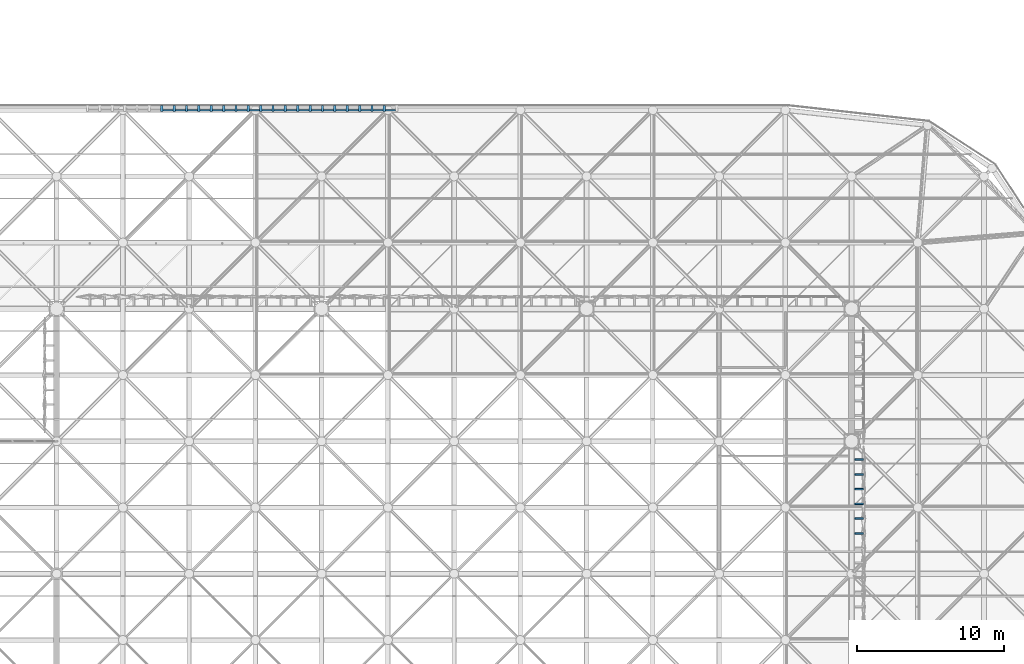
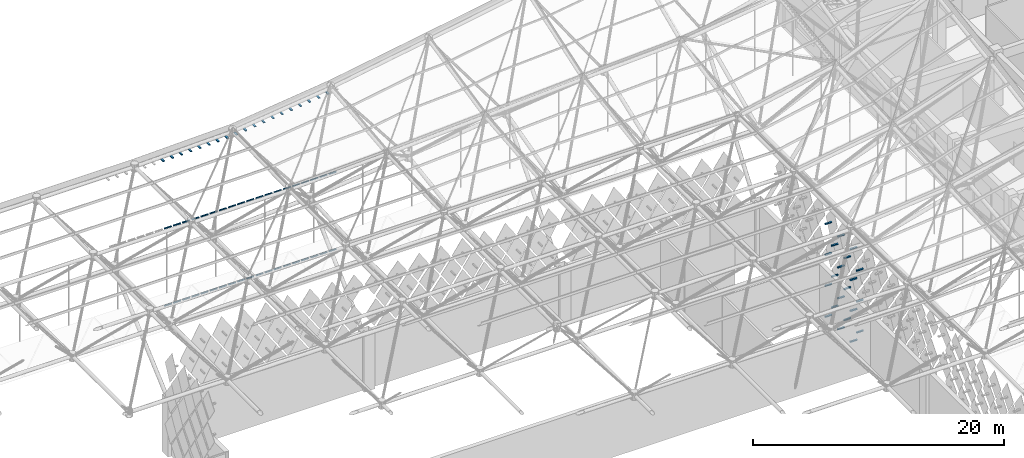
# One storey, part 395 of 437: 78 discrete accessories.
"""IFC4 building model written with IfcOpenShell, lengths in metres."""

from ifc_helpers import new_model, si_unit, direction, frame, origin, origin_2d, place, context, subcontext, project, spatial, polyline, rectangle, hollow_rectangle, outline, extrude, material, material_profile, profile_set, type_object, element, save


model = new_model("IFC4")

# Units and contexts
model_context = context("Model", 3, precision=1e-05, world=origin(), true_north=direction((0.0, 1.0)))
body_context = subcontext(model_context, "Body", "Model", "MODEL_VIEW")
ifc_project = project(units=[si_unit("LENGTHUNIT", "METRE"), si_unit("AREAUNIT", "SQUARE_METRE"), si_unit("VOLUMEUNIT", "CUBIC_METRE"), si_unit("PLANEANGLEUNIT", "RADIAN"), si_unit("MASSUNIT", "GRAM", prefix="KILO")], contexts=[model_context])

# Site, building, storey
site_placement = place(None, origin())
site = spatial("IfcSite", under=ifc_project, at=site_placement, CompositionType="ELEMENT")
building_placement = place(site_placement, origin())
building = spatial("IfcBuilding", under=site, at=building_placement, Name="Opaline Strait Convention Centre", CompositionType="ELEMENT")
storey_placement = place(building_placement, frame((0.0, 0.0, 11.5)))
storey = spatial("IfcBuildingStorey", under=building, at=storey_placement, Name="L02", CompositionType="ELEMENT", Elevation=11.5)

# Discrete accessories
ifc_material = material(Name="Steel Q355B", Category="steel")
discrete_accessory_type_1 = type_object("IfcDiscreteAccessoryType", Name="Blade head bracket 160x400x80", PredefinedType="BRACKET", material=ifc_material)
for number, where, z_axis, x_axis, name in (
    (1, (214.139892578125, 166.60009765625, 17.573974609375), (0.0, 0.0, 1.0), (1.0, 0.0, 0.0), "Blade head bracket E07"),
    (2, (214.97998046875, 166.60009765625, 17.59765625), (0.0, 0.0, 1.0), (1.0, 0.0, 0.0), "Blade head bracket E08"),
    (3, (215.820068359375, 166.60009765625, 17.621337890625), (0.0, 0.0, 1.0), (1.0, 0.0, 0.0), "Blade head bracket E09"),
    (4, (216.659912109375, 166.60009765625, 17.644775390625), (0.0, 0.0, 1.0), (1.0, 0.0, 0.0), "Blade head bracket E10"),
    (5, (217.5, 166.60009765625, 17.66845703125), (0.0, 0.0, 1.0), (1.0, 0.0, 0.0), "Blade head bracket E11"),
    (6, (218.340087890625, 166.60009765625, 17.69189453125), (0.0, 0.0, 1.0), (1.0, 0.0, 0.0), "Blade head bracket E12"),
    (7, (219.179931640625, 166.60009765625, 17.715576171875), (0.0, 0.0, 1.0), (1.0, 0.0, 0.0), "Blade head bracket E13"),
    (8, (220.02001953125, 166.60009765625, 17.7392578125), (0.0, 0.0, 1.0), (1.0, 0.0, 0.0), "Blade head bracket E14"),
    (9, (220.860107421875, 166.60009765625, 17.796142578125), (0.0, 0.0, 1.0), (1.0, 0.0, 0.0), "Blade head bracket E15"),
    (10, (221.699951171875, 166.60009765625, 17.897705078125), (0.0, 0.0, 1.0), (1.0, 0.0, 0.0), "Blade head bracket E16"),
    (11, (222.5400390625, 166.60009765625, 17.9990234375), (0.0, 0.0, 1.0), (1.0, 0.0, 0.0), "Blade head bracket E17"),
    (12, (223.3798828125, 166.60009765625, 18.1005859375), (0.0, 0.0, 1.0), (1.0, 0.0, 0.0), "Blade head bracket E18"),
    (13, (224.219970703125, 166.60009765625, 18.201904296875), (0.0, 0.0, 1.0), (1.0, 0.0, 0.0), "Blade head bracket E19"),
    (14, (225.06005859375, 166.60009765625, 18.303466796875), (0.0, 0.0, 1.0), (1.0, 0.0, 0.0), "Blade head bracket E20"),
    (15, (225.89990234375, 166.60009765625, 18.405029296875), (0.0, 0.0, 1.0), (1.0, 0.0, 0.0), "Blade head bracket E21"),
    (16, (226.739990234375, 166.60009765625, 18.50634765625), (0.0, 0.0, 1.0), (1.0, 0.0, 0.0), "Blade head bracket E22"),
    (17, (227.580078125, 166.60009765625, 18.60791015625), (0.0, 0.0, 1.0), (1.0, 0.0, 0.0), "Blade head bracket E23"),
    (18, (228.419921875, 166.60009765625, 18.709228515625), (0.0, 0.0, 1.0), (1.0, 0.0, 0.0), "Blade head bracket E24"),
    (19, (229.260009765625, 166.60009765625, 18.810791015625), (0.0, 0.0, 1.0), (1.0, 0.0, 0.0), "Blade head bracket E25"),
):
    element("IfcDiscreteAccessory", number, at=place(storey_placement, frame(where, z_axis=z_axis, x_axis=x_axis)), inside=storey, type_object=discrete_accessory_type_1, Name=name, PredefinedType="BRACKET", context=body_context, shape_type="SweptSolid", body=[
        extrude(rectangle(XDim=0.159912109375, YDim=0.39990234375, at=origin_2d()), origin(), (0.0, 0.0, 1.0), 0.080078125),
    ])
ifc_material_profile = material_profile(ifc_material, hollow_rectangle(XDim=0.10009765625, YDim=0.10009765625, WallThickness=0.006103515625, at=origin_2d()), Name="RHS 100x100x6")
ifc_profile_set = profile_set([ifc_material_profile], Name="Steel Q355B")
discrete_accessory_type_2 = type_object("IfcDiscreteAccessoryType", Name="Blade rail RHS 100x100x6", PredefinedType="BRACKET", material=ifc_profile_set)
for number, where, z_axis, x_axis, name in (
    (20, (214.219970703125, 166.5, 3.5), (1.0, 0.0, 0.0), (0.0, 1.0, 0.0), "Blade rail 2 E"),
    (21, (215.06005859375, 166.5, 3.5), (1.0, 0.0, 0.0), (0.0, 1.0, 0.0), "Blade rail 2 E"),
):
    element("IfcDiscreteAccessory", number, at=place(storey_placement, frame(where, z_axis=z_axis, x_axis=x_axis)), inside=storey, type_object=discrete_accessory_type_2, Name=name, PredefinedType="BRACKET", context=body_context, shape_type="SweptSolid", body=[
        extrude(hollow_rectangle(XDim=0.10009765625, YDim=0.10009765625, WallThickness=0.006103515625, at=origin_2d()), origin(), (0.0, 0.0, 1.0), 0.679931640625),
    ])
discrete_accessory_1_placement = place(storey_placement, frame((215.89990234375, 166.5, 3.5), z_axis=(1.0, 0.0, 0.0), x_axis=(0.0, 1.0, 0.0)))
element("IfcDiscreteAccessory", 22, at=discrete_accessory_1_placement, inside=storey, type_object=discrete_accessory_type_2, Name="Blade rail 2 E", PredefinedType="BRACKET", context=body_context, shape_type="SweptSolid", body=[
    extrude(hollow_rectangle(XDim=0.10009765625, YDim=0.10009765625, WallThickness=0.006103515625, at=origin_2d()), origin(), (0.0, 0.0, 1.0), 0.68017578125),
])
for number, where, z_axis, x_axis, name in (
    (23, (216.739990234375, 166.5, 3.5), (1.0, 0.0, 0.0), (0.0, 1.0, 0.0), "Blade rail 2 E"),
    (24, (217.580078125, 166.5, 3.5), (1.0, 0.0, 0.0), (0.0, 1.0, 0.0), "Blade rail 2 E"),
):
    element("IfcDiscreteAccessory", number, at=place(storey_placement, frame(where, z_axis=z_axis, x_axis=x_axis)), inside=storey, type_object=discrete_accessory_type_2, Name=name, PredefinedType="BRACKET", context=body_context, shape_type="SweptSolid", body=[
        extrude(hollow_rectangle(XDim=0.10009765625, YDim=0.10009765625, WallThickness=0.006103515625, at=origin_2d()), origin(), (0.0, 0.0, 1.0), 0.679931640625),
    ])
discrete_accessory_2_placement = place(storey_placement, frame((218.419921875, 166.5, 3.5), z_axis=(1.0, 0.0, 0.0), x_axis=(0.0, 1.0, 0.0)))
element("IfcDiscreteAccessory", 25, at=discrete_accessory_2_placement, inside=storey, type_object=discrete_accessory_type_2, Name="Blade rail 2 E", PredefinedType="BRACKET", context=body_context, shape_type="SweptSolid", body=[
    extrude(hollow_rectangle(XDim=0.10009765625, YDim=0.10009765625, WallThickness=0.006103515625, at=origin_2d()), origin(), (0.0, 0.0, 1.0), 0.68017578125),
])
for number, where, z_axis, x_axis, name in (
    (26, (219.260009765625, 166.5, 3.5), (1.0, 0.0, 0.0), (0.0, 1.0, 0.0), "Blade rail 2 E"),
    (27, (220.10009765625, 166.5, 3.5), (1.0, 0.0, 0.0), (0.0, 1.0, 0.0), "Blade rail 2 E"),
):
    element("IfcDiscreteAccessory", number, at=place(storey_placement, frame(where, z_axis=z_axis, x_axis=x_axis)), inside=storey, type_object=discrete_accessory_type_2, Name=name, PredefinedType="BRACKET", context=body_context, shape_type="SweptSolid", body=[
        extrude(hollow_rectangle(XDim=0.10009765625, YDim=0.10009765625, WallThickness=0.006103515625, at=origin_2d()), origin(), (0.0, 0.0, 1.0), 0.679931640625),
    ])
discrete_accessory_3_placement = place(storey_placement, frame((220.93994140625, 166.5, 3.5), z_axis=(1.0, 0.0, 0.0), x_axis=(0.0, 1.0, 0.0)))
element("IfcDiscreteAccessory", 28, at=discrete_accessory_3_placement, inside=storey, type_object=discrete_accessory_type_2, Name="Blade rail 2 E", PredefinedType="BRACKET", context=body_context, shape_type="SweptSolid", body=[
    extrude(hollow_rectangle(XDim=0.10009765625, YDim=0.10009765625, WallThickness=0.006103515625, at=origin_2d()), origin(), (0.0, 0.0, 1.0), 0.68017578125),
])
for number, where, z_axis, x_axis, name in (
    (29, (221.780029296875, 166.5, 3.5), (1.0, 0.0, 0.0), (0.0, 1.0, 0.0), "Blade rail 2 E"),
    (30, (222.6201171875, 166.5, 3.5), (1.0, 0.0, 0.0), (0.0, 1.0, 0.0), "Blade rail 2 E"),
    (31, (223.4599609375, 166.5, 3.5), (1.0, 0.0, 0.0), (0.0, 1.0, 0.0), "Blade rail 2 E"),
    (32, (224.300048828125, 166.5, 3.5), (1.0, 0.0, 0.0), (0.0, 1.0, 0.0), "Blade rail 2 E"),
):
    element("IfcDiscreteAccessory", number, at=place(storey_placement, frame(where, z_axis=z_axis, x_axis=x_axis)), inside=storey, type_object=discrete_accessory_type_2, Name=name, PredefinedType="BRACKET", context=body_context, shape_type="SweptSolid", body=[
        extrude(hollow_rectangle(XDim=0.10009765625, YDim=0.10009765625, WallThickness=0.006103515625, at=origin_2d()), origin(), (0.0, 0.0, 1.0), 0.679931640625),
    ])
discrete_accessory_4_placement = place(storey_placement, frame((225.139892578125, 166.5, 3.5), z_axis=(1.0, 0.0, 0.0), x_axis=(0.0, 1.0, 0.0)))
element("IfcDiscreteAccessory", 33, at=discrete_accessory_4_placement, inside=storey, type_object=discrete_accessory_type_2, Name="Blade rail 2 E", PredefinedType="BRACKET", context=body_context, shape_type="SweptSolid", body=[
    extrude(hollow_rectangle(XDim=0.10009765625, YDim=0.10009765625, WallThickness=0.006103515625, at=origin_2d()), origin(), (0.0, 0.0, 1.0), 0.68017578125),
])
for number, where, z_axis, x_axis, name in (
    (34, (225.97998046875, 166.5, 3.5), (1.0, 0.0, 0.0), (0.0, 1.0, 0.0), "Blade rail 2 E"),
    (35, (226.820068359375, 166.5, 3.5), (1.0, 0.0, 0.0), (0.0, 1.0, 0.0), "Blade rail 2 E"),
):
    element("IfcDiscreteAccessory", number, at=place(storey_placement, frame(where, z_axis=z_axis, x_axis=x_axis)), inside=storey, type_object=discrete_accessory_type_2, Name=name, PredefinedType="BRACKET", context=body_context, shape_type="SweptSolid", body=[
        extrude(hollow_rectangle(XDim=0.10009765625, YDim=0.10009765625, WallThickness=0.006103515625, at=origin_2d()), origin(), (0.0, 0.0, 1.0), 0.679931640625),
    ])
discrete_accessory_5_placement = place(storey_placement, frame((227.659912109375, 166.5, 3.5), z_axis=(1.0, 0.0, 0.0), x_axis=(0.0, 1.0, 0.0)))
element("IfcDiscreteAccessory", 36, at=discrete_accessory_5_placement, inside=storey, type_object=discrete_accessory_type_2, Name="Blade rail 2 E", PredefinedType="BRACKET", context=body_context, shape_type="SweptSolid", body=[
    extrude(hollow_rectangle(XDim=0.10009765625, YDim=0.10009765625, WallThickness=0.006103515625, at=origin_2d()), origin(), (0.0, 0.0, 1.0), 0.68017578125),
])
for number, where, z_axis, x_axis, name in (
    (37, (228.5, 166.5, 3.5), (1.0, 0.0, 0.0), (0.0, 1.0, 0.0), "Blade rail 2 E"),
    (38, (229.340087890625, 166.5, 3.5), (1.0, 0.0, 0.0), (0.0, 1.0, 0.0), "Blade rail 2 E"),
    (39, (214.219970703125, 166.5, 11.0), (1.0, 0.0, 0.0), (0.0, 1.0, 0.0), "Blade rail 3 E"),
    (40, (215.06005859375, 166.5, 11.0), (1.0, 0.0, 0.0), (0.0, 1.0, 0.0), "Blade rail 3 E"),
):
    element("IfcDiscreteAccessory", number, at=place(storey_placement, frame(where, z_axis=z_axis, x_axis=x_axis)), inside=storey, type_object=discrete_accessory_type_2, Name=name, PredefinedType="BRACKET", context=body_context, shape_type="SweptSolid", body=[
        extrude(hollow_rectangle(XDim=0.10009765625, YDim=0.10009765625, WallThickness=0.006103515625, at=origin_2d()), origin(), (0.0, 0.0, 1.0), 0.679931640625),
    ])
discrete_accessory_6_placement = place(storey_placement, frame((215.89990234375, 166.5, 11.0), z_axis=(1.0, 0.0, 0.0), x_axis=(0.0, 1.0, 0.0)))
element("IfcDiscreteAccessory", 41, at=discrete_accessory_6_placement, inside=storey, type_object=discrete_accessory_type_2, Name="Blade rail 3 E", PredefinedType="BRACKET", context=body_context, shape_type="SweptSolid", body=[
    extrude(hollow_rectangle(XDim=0.10009765625, YDim=0.10009765625, WallThickness=0.006103515625, at=origin_2d()), origin(), (0.0, 0.0, 1.0), 0.68017578125),
])
for number, where, z_axis, x_axis, name in (
    (42, (216.739990234375, 166.5, 11.0), (1.0, 0.0, 0.0), (0.0, 1.0, 0.0), "Blade rail 3 E"),
    (43, (217.580078125, 166.5, 11.0), (1.0, 0.0, 0.0), (0.0, 1.0, 0.0), "Blade rail 3 E"),
):
    element("IfcDiscreteAccessory", number, at=place(storey_placement, frame(where, z_axis=z_axis, x_axis=x_axis)), inside=storey, type_object=discrete_accessory_type_2, Name=name, PredefinedType="BRACKET", context=body_context, shape_type="SweptSolid", body=[
        extrude(hollow_rectangle(XDim=0.10009765625, YDim=0.10009765625, WallThickness=0.006103515625, at=origin_2d()), origin(), (0.0, 0.0, 1.0), 0.679931640625),
    ])
discrete_accessory_7_placement = place(storey_placement, frame((218.419921875, 166.5, 11.0), z_axis=(1.0, 0.0, 0.0), x_axis=(0.0, 1.0, 0.0)))
element("IfcDiscreteAccessory", 44, at=discrete_accessory_7_placement, inside=storey, type_object=discrete_accessory_type_2, Name="Blade rail 3 E", PredefinedType="BRACKET", context=body_context, shape_type="SweptSolid", body=[
    extrude(hollow_rectangle(XDim=0.10009765625, YDim=0.10009765625, WallThickness=0.006103515625, at=origin_2d()), origin(), (0.0, 0.0, 1.0), 0.68017578125),
])
for number, where, z_axis, x_axis, name in (
    (45, (219.260009765625, 166.5, 11.0), (1.0, 0.0, 0.0), (0.0, 1.0, 0.0), "Blade rail 3 E"),
    (46, (220.10009765625, 166.5, 11.0), (1.0, 0.0, 0.0), (0.0, 1.0, 0.0), "Blade rail 3 E"),
):
    element("IfcDiscreteAccessory", number, at=place(storey_placement, frame(where, z_axis=z_axis, x_axis=x_axis)), inside=storey, type_object=discrete_accessory_type_2, Name=name, PredefinedType="BRACKET", context=body_context, shape_type="SweptSolid", body=[
        extrude(hollow_rectangle(XDim=0.10009765625, YDim=0.10009765625, WallThickness=0.006103515625, at=origin_2d()), origin(), (0.0, 0.0, 1.0), 0.679931640625),
    ])
discrete_accessory_8_placement = place(storey_placement, frame((220.93994140625, 166.5, 11.0), z_axis=(1.0, 0.0, 0.0), x_axis=(0.0, 1.0, 0.0)))
element("IfcDiscreteAccessory", 47, at=discrete_accessory_8_placement, inside=storey, type_object=discrete_accessory_type_2, Name="Blade rail 3 E", PredefinedType="BRACKET", context=body_context, shape_type="SweptSolid", body=[
    extrude(hollow_rectangle(XDim=0.10009765625, YDim=0.10009765625, WallThickness=0.006103515625, at=origin_2d()), origin(), (0.0, 0.0, 1.0), 0.68017578125),
])
for number, where, z_axis, x_axis, name in (
    (48, (221.780029296875, 166.5, 11.0), (1.0, 0.0, 0.0), (0.0, 1.0, 0.0), "Blade rail 3 E"),
    (49, (222.6201171875, 166.5, 11.0), (1.0, 0.0, 0.0), (0.0, 1.0, 0.0), "Blade rail 3 E"),
    (50, (223.4599609375, 166.5, 11.0), (1.0, 0.0, 0.0), (0.0, 1.0, 0.0), "Blade rail 3 E"),
    (51, (224.300048828125, 166.5, 11.0), (1.0, 0.0, 0.0), (0.0, 1.0, 0.0), "Blade rail 3 E"),
):
    element("IfcDiscreteAccessory", number, at=place(storey_placement, frame(where, z_axis=z_axis, x_axis=x_axis)), inside=storey, type_object=discrete_accessory_type_2, Name=name, PredefinedType="BRACKET", context=body_context, shape_type="SweptSolid", body=[
        extrude(hollow_rectangle(XDim=0.10009765625, YDim=0.10009765625, WallThickness=0.006103515625, at=origin_2d()), origin(), (0.0, 0.0, 1.0), 0.679931640625),
    ])
discrete_accessory_9_placement = place(storey_placement, frame((225.139892578125, 166.5, 11.0), z_axis=(1.0, 0.0, 0.0), x_axis=(0.0, 1.0, 0.0)))
element("IfcDiscreteAccessory", 52, at=discrete_accessory_9_placement, inside=storey, type_object=discrete_accessory_type_2, Name="Blade rail 3 E", PredefinedType="BRACKET", context=body_context, shape_type="SweptSolid", body=[
    extrude(hollow_rectangle(XDim=0.10009765625, YDim=0.10009765625, WallThickness=0.006103515625, at=origin_2d()), origin(), (0.0, 0.0, 1.0), 0.68017578125),
])
for number, where, z_axis, x_axis, name in (
    (53, (225.97998046875, 166.5, 11.0), (1.0, 0.0, 0.0), (0.0, 1.0, 0.0), "Blade rail 3 E"),
    (54, (226.820068359375, 166.5, 11.0), (1.0, 0.0, 0.0), (0.0, 1.0, 0.0), "Blade rail 3 E"),
):
    element("IfcDiscreteAccessory", number, at=place(storey_placement, frame(where, z_axis=z_axis, x_axis=x_axis)), inside=storey, type_object=discrete_accessory_type_2, Name=name, PredefinedType="BRACKET", context=body_context, shape_type="SweptSolid", body=[
        extrude(hollow_rectangle(XDim=0.10009765625, YDim=0.10009765625, WallThickness=0.006103515625, at=origin_2d()), origin(), (0.0, 0.0, 1.0), 0.679931640625),
    ])
discrete_accessory_10_placement = place(storey_placement, frame((227.659912109375, 166.5, 11.0), z_axis=(1.0, 0.0, 0.0), x_axis=(0.0, 1.0, 0.0)))
element("IfcDiscreteAccessory", 55, at=discrete_accessory_10_placement, inside=storey, type_object=discrete_accessory_type_2, Name="Blade rail 3 E", PredefinedType="BRACKET", context=body_context, shape_type="SweptSolid", body=[
    extrude(hollow_rectangle(XDim=0.10009765625, YDim=0.10009765625, WallThickness=0.006103515625, at=origin_2d()), origin(), (0.0, 0.0, 1.0), 0.68017578125),
])
for number, where, z_axis, x_axis, name in (
    (56, (228.5, 166.5, 11.0), (1.0, 0.0, 0.0), (0.0, 1.0, 0.0), "Blade rail 3 E"),
    (57, (229.340087890625, 166.5, 11.0), (1.0, 0.0, 0.0), (0.0, 1.0, 0.0), "Blade rail 3 E"),
):
    element("IfcDiscreteAccessory", number, at=place(storey_placement, frame(where, z_axis=z_axis, x_axis=x_axis)), inside=storey, type_object=discrete_accessory_type_2, Name=name, PredefinedType="BRACKET", context=body_context, shape_type="SweptSolid", body=[
        extrude(hollow_rectangle(XDim=0.10009765625, YDim=0.10009765625, WallThickness=0.006103515625, at=origin_2d()), origin(), (0.0, 0.0, 1.0), 0.679931640625),
    ])
discrete_accessory_type_3 = type_object("IfcDiscreteAccessoryType", Name="Tile bracket 100x100 steel", PredefinedType="BRACKET", material=ifc_material)
discrete_accessory_11_placement = place(storey_placement, frame((261.199951171875, 138.699951171875, 0.39208984375), z_axis=(0.0, 1.0, 0.0), x_axis=(-1.0, 0.0, 0.0)))
element("IfcDiscreteAccessory", 58, at=discrete_accessory_11_placement, inside=storey, type_object=discrete_accessory_type_3, Name="Tile bracket XT09 E", PredefinedType="BRACKET", context=body_context, shape_type="SweptSolid", body=[
    extrude(outline(polyline([(0.0, -0.050048828125), (0.0, 0.050048828125), (-0.60400390625, 0.050048828125), (-0.595947265625, -0.050048828125), (0.0, -0.050048828125)])), origin(), (0.0, 0.0, 1.0), 0.10009765625),
])
discrete_accessory_12_placement = place(storey_placement, frame((261.199951171875, 140.699951171875, 0.39208984375), z_axis=(0.0, 1.0, 0.0), x_axis=(-1.0, 0.0, 0.0)))
element("IfcDiscreteAccessory", 59, at=discrete_accessory_12_placement, inside=storey, type_object=discrete_accessory_type_3, Name="Tile bracket XT05 E", PredefinedType="BRACKET", context=body_context, shape_type="SweptSolid", body=[
    extrude(outline(polyline([(0.0, -0.050048828125), (0.0, 0.050048828125), (-0.602294921875, 0.050048828125), (-0.597900390625, -0.050048828125), (0.0, -0.050048828125)])), origin(), (0.0, 0.0, 1.0), 0.10009765625),
])
discrete_accessory_13_placement = place(storey_placement, frame((261.199951171875, 142.699951171875, 0.39208984375), z_axis=(0.0, 1.0, 0.0), x_axis=(-1.0, 0.0, 0.0)))
element("IfcDiscreteAccessory", 60, at=discrete_accessory_13_placement, inside=storey, type_object=discrete_accessory_type_3, Name="Tile bracket XT04 E", PredefinedType="BRACKET", context=body_context, shape_type="SweptSolid", body=[
    extrude(outline(polyline([(0.0, -0.050048828125), (0.0, 0.050048828125), (-0.601806640625, 0.050048828125), (-0.59814453125, -0.050048828125), (0.0, -0.050048828125)])), origin(), (0.0, 0.0, 1.0), 0.10009765625),
])
discrete_accessory_14_placement = place(storey_placement, frame((261.199951171875, 137.699951171875, 1.89208984375), z_axis=(0.0, 1.0, 0.0), x_axis=(-1.0, 0.0, 0.0)))
element("IfcDiscreteAccessory", 61, at=discrete_accessory_14_placement, inside=storey, type_object=discrete_accessory_type_3, Name="Tile bracket XT11 E", PredefinedType="BRACKET", context=body_context, shape_type="SweptSolid", body=[
    extrude(outline(polyline([(0.0, -0.050048828125), (0.0, 0.050048828125), (-0.604736328125, 0.050048828125), (-0.59521484375, -0.050048828125), (0.0, -0.050048828125)])), origin(), (0.0, 0.0, 1.0), 0.10009765625),
])
discrete_accessory_15_placement = place(storey_placement, frame((261.199951171875, 139.699951171875, 1.89208984375), z_axis=(0.0, 1.0, 0.0), x_axis=(-1.0, 0.0, 0.0)))
element("IfcDiscreteAccessory", 62, at=discrete_accessory_15_placement, inside=storey, type_object=discrete_accessory_type_3, Name="Tile bracket XT08 E", PredefinedType="BRACKET", context=body_context, shape_type="SweptSolid", body=[
    extrude(outline(polyline([(0.0, -0.050048828125), (0.0, 0.050048828125), (-0.603515625, 0.050048828125), (-0.596435546875, -0.050048828125), (0.0, -0.050048828125)])), origin(), (0.0, 0.0, 1.0), 0.10009765625),
])
discrete_accessory_16_placement = place(storey_placement, frame((261.199951171875, 141.699951171875, 1.89208984375), z_axis=(0.0, 1.0, 0.0), x_axis=(-1.0, 0.0, 0.0)))
element("IfcDiscreteAccessory", 63, at=discrete_accessory_16_placement, inside=storey, type_object=discrete_accessory_type_3, Name="Tile bracket XT05 E", PredefinedType="BRACKET", context=body_context, shape_type="SweptSolid", body=[
    extrude(outline(polyline([(0.0, -0.050048828125), (0.0, 0.050048828125), (-0.602294921875, 0.050048828125), (-0.597900390625, -0.050048828125), (0.0, -0.050048828125)])), origin(), (0.0, 0.0, 1.0), 0.10009765625),
])
discrete_accessory_17_placement = place(storey_placement, frame((261.199951171875, 138.699951171875, 3.39208984375), z_axis=(0.0, 1.0, 0.0), x_axis=(-1.0, 0.0, 0.0)))
element("IfcDiscreteAccessory", 64, at=discrete_accessory_17_placement, inside=storey, type_object=discrete_accessory_type_3, Name="Tile bracket XT11 E", PredefinedType="BRACKET", context=body_context, shape_type="SweptSolid", body=[
    extrude(outline(polyline([(0.0, -0.050048828125), (0.0, 0.050048828125), (-0.604736328125, 0.050048828125), (-0.59521484375, -0.050048828125), (0.0, -0.050048828125)])), origin(), (0.0, 0.0, 1.0), 0.10009765625),
])
discrete_accessory_18_placement = place(storey_placement, frame((261.199951171875, 140.699951171875, 3.39208984375), z_axis=(0.0, 1.0, 0.0), x_axis=(-1.0, 0.0, 0.0)))
element("IfcDiscreteAccessory", 65, at=discrete_accessory_18_placement, inside=storey, type_object=discrete_accessory_type_3, Name="Tile bracket XT08 E", PredefinedType="BRACKET", context=body_context, shape_type="SweptSolid", body=[
    extrude(outline(polyline([(0.0, -0.050048828125), (0.0, 0.050048828125), (-0.603515625, 0.050048828125), (-0.596435546875, -0.050048828125), (0.0, -0.050048828125)])), origin(), (0.0, 0.0, 1.0), 0.10009765625),
])
discrete_accessory_19_placement = place(storey_placement, frame((261.199951171875, 142.699951171875, 3.39208984375), z_axis=(0.0, 1.0, 0.0), x_axis=(-1.0, 0.0, 0.0)))
element("IfcDiscreteAccessory", 66, at=discrete_accessory_19_placement, inside=storey, type_object=discrete_accessory_type_3, Name="Tile bracket XT06 E", PredefinedType="BRACKET", context=body_context, shape_type="SweptSolid", body=[
    extrude(outline(polyline([(0.0, -0.050048828125), (0.0, 0.050048828125), (-0.6025390625, 0.050048828125), (-0.597412109375, -0.050048828125), (0.0, -0.050048828125)])), origin(), (0.0, 0.0, 1.0), 0.10009765625),
])
discrete_accessory_20_placement = place(storey_placement, frame((261.199951171875, 137.699951171875, 4.89208984375), z_axis=(0.0, 1.0, 0.0), x_axis=(-1.0, 0.0, 0.0)))
element("IfcDiscreteAccessory", 67, at=discrete_accessory_20_placement, inside=storey, type_object=discrete_accessory_type_3, Name="Tile bracket XT11 E", PredefinedType="BRACKET", context=body_context, shape_type="SweptSolid", body=[
    extrude(outline(polyline([(0.0, -0.050048828125), (0.0, 0.050048828125), (-0.604736328125, 0.050048828125), (-0.59521484375, -0.050048828125), (0.0, -0.050048828125)])), origin(), (0.0, 0.0, 1.0), 0.10009765625),
])
discrete_accessory_21_placement = place(storey_placement, frame((261.199951171875, 139.699951171875, 4.89208984375), z_axis=(0.0, 1.0, 0.0), x_axis=(-1.0, 0.0, 0.0)))
element("IfcDiscreteAccessory", 68, at=discrete_accessory_21_placement, inside=storey, type_object=discrete_accessory_type_3, Name="Tile bracket XT10 E", PredefinedType="BRACKET", context=body_context, shape_type="SweptSolid", body=[
    extrude(outline(polyline([(0.0, -0.050048828125), (0.0, 0.050048828125), (-0.604248046875, 0.050048828125), (-0.595703125, -0.050048828125), (0.0, -0.050048828125)])), origin(), (0.0, 0.0, 1.0), 0.10009765625),
])
discrete_accessory_22_placement = place(storey_placement, frame((261.199951171875, 141.699951171875, 4.89208984375), z_axis=(0.0, 1.0, 0.0), x_axis=(-1.0, 0.0, 0.0)))
element("IfcDiscreteAccessory", 69, at=discrete_accessory_22_placement, inside=storey, type_object=discrete_accessory_type_3, Name="Tile bracket XT08 E", PredefinedType="BRACKET", context=body_context, shape_type="SweptSolid", body=[
    extrude(outline(polyline([(0.0, -0.050048828125), (0.0, 0.050048828125), (-0.603515625, 0.050048828125), (-0.596435546875, -0.050048828125), (0.0, -0.050048828125)])), origin(), (0.0, 0.0, 1.0), 0.10009765625),
])
discrete_accessory_23_placement = place(storey_placement, frame((261.199951171875, 138.699951171875, 6.39208984375), z_axis=(0.0, 1.0, 0.0), x_axis=(-1.0, 0.0, 0.0)))
element("IfcDiscreteAccessory", 70, at=discrete_accessory_23_placement, inside=storey, type_object=discrete_accessory_type_3, Name="Tile bracket XT11 E", PredefinedType="BRACKET", context=body_context, shape_type="SweptSolid", body=[
    extrude(outline(polyline([(0.0, -0.050048828125), (0.0, 0.050048828125), (-0.604736328125, 0.050048828125), (-0.59521484375, -0.050048828125), (0.0, -0.050048828125)])), origin(), (0.0, 0.0, 1.0), 0.10009765625),
])
discrete_accessory_24_placement = place(storey_placement, frame((261.199951171875, 140.699951171875, 6.39208984375), z_axis=(0.0, 1.0, 0.0), x_axis=(-1.0, 0.0, 0.0)))
element("IfcDiscreteAccessory", 71, at=discrete_accessory_24_placement, inside=storey, type_object=discrete_accessory_type_3, Name="Tile bracket XT10 E", PredefinedType="BRACKET", context=body_context, shape_type="SweptSolid", body=[
    extrude(outline(polyline([(0.0, -0.050048828125), (0.0, 0.050048828125), (-0.604248046875, 0.050048828125), (-0.595703125, -0.050048828125), (0.0, -0.050048828125)])), origin(), (0.0, 0.0, 1.0), 0.10009765625),
])
discrete_accessory_25_placement = place(storey_placement, frame((261.199951171875, 142.699951171875, 6.39208984375), z_axis=(0.0, 1.0, 0.0), x_axis=(-1.0, 0.0, 0.0)))
element("IfcDiscreteAccessory", 72, at=discrete_accessory_25_placement, inside=storey, type_object=discrete_accessory_type_3, Name="Tile bracket XT08 E", PredefinedType="BRACKET", context=body_context, shape_type="SweptSolid", body=[
    extrude(outline(polyline([(0.0, -0.050048828125), (0.0, 0.050048828125), (-0.603515625, 0.050048828125), (-0.596435546875, -0.050048828125), (0.0, -0.050048828125)])), origin(), (0.0, 0.0, 1.0), 0.10009765625),
])
for number, where, z_axis, x_axis, name in (
    (73, (261.199951171875, 137.699951171875, 7.89208984375), (0.0, 1.0, 0.0), (-1.0, 0.0, 0.0), "Tile bracket XT10 E"),
    (74, (261.199951171875, 139.699951171875, 7.89208984375), (0.0, 1.0, 0.0), (-1.0, 0.0, 0.0), "Tile bracket XT10 E"),
    (75, (261.199951171875, 141.699951171875, 7.89208984375), (0.0, 1.0, 0.0), (-1.0, 0.0, 0.0), "Tile bracket XT10 E"),
    (76, (261.199951171875, 138.699951171875, 9.39208984375), (0.0, 1.0, 0.0), (-1.0, 0.0, 0.0), "Tile bracket XT10 E"),
    (77, (261.199951171875, 140.699951171875, 9.39208984375), (0.0, 1.0, 0.0), (-1.0, 0.0, 0.0), "Tile bracket XT10 E"),
    (78, (261.199951171875, 142.699951171875, 9.39208984375), (0.0, 1.0, 0.0), (-1.0, 0.0, 0.0), "Tile bracket XT10 E"),
):
    element("IfcDiscreteAccessory", number, at=place(storey_placement, frame(where, z_axis=z_axis, x_axis=x_axis)), inside=storey, type_object=discrete_accessory_type_3, Name=name, PredefinedType="BRACKET", context=body_context, shape_type="SweptSolid", body=[
        extrude(outline(polyline([(0.0, -0.050048828125), (0.0, 0.050048828125), (-0.604248046875, 0.050048828125), (-0.595703125, -0.050048828125), (0.0, -0.050048828125)])), origin(), (0.0, 0.0, 1.0), 0.10009765625),
    ])

save(model, "model.ifc")
